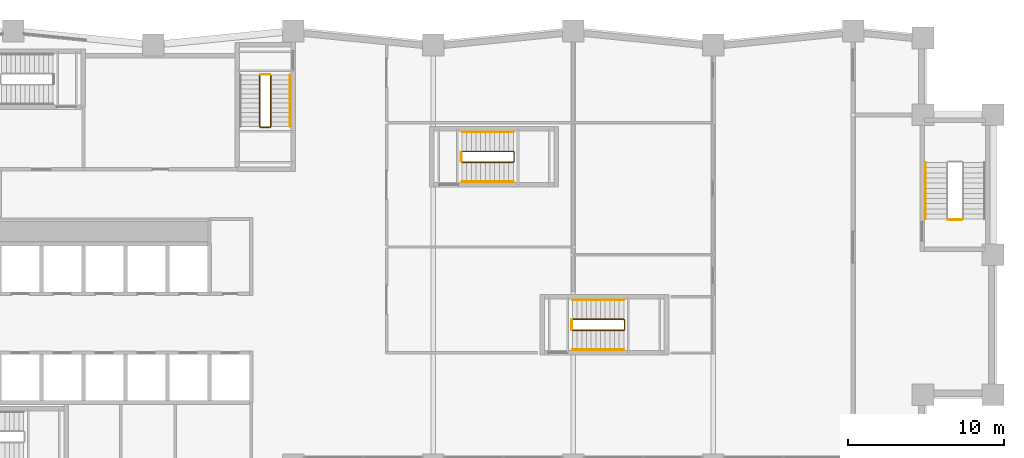
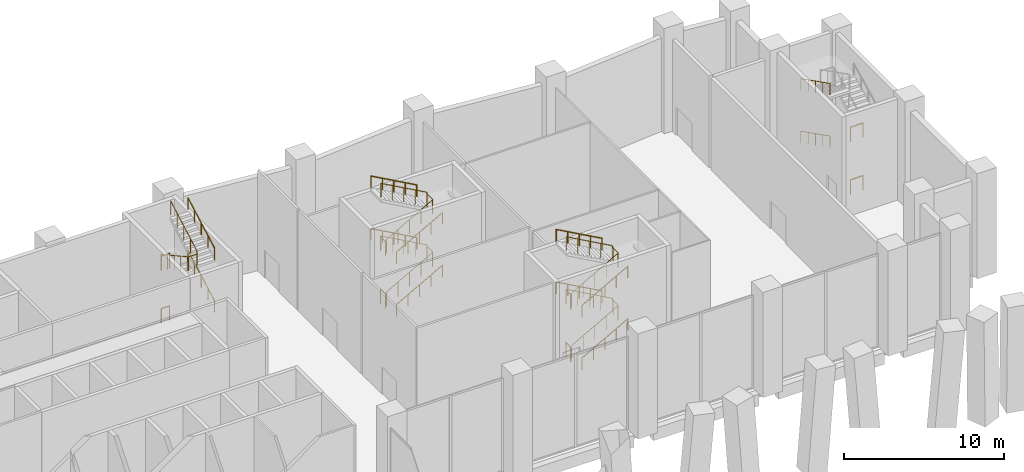
# One storey, part 18 of 19: 25 railings.
"""IFC4 building model written with IfcOpenShell, lengths in metres."""

from ifc_helpers import new_model, si_unit, direction, frame, origin, origin_2d, place, context, subcontext, project, spatial, circle, extrude, material, type_object, element, save


model = new_model("IFC4")

# Units and contexts
model_context = context("Model", 3, precision=1e-05, world=origin(), true_north=direction((0.0, 1.0)))
body_context = subcontext(model_context, "Body", "Model", "MODEL_VIEW")
ifc_project = project(units=[si_unit("LENGTHUNIT", "METRE"), si_unit("AREAUNIT", "SQUARE_METRE"), si_unit("VOLUMEUNIT", "CUBIC_METRE"), si_unit("PLANEANGLEUNIT", "RADIAN"), si_unit("MASSUNIT", "GRAM", prefix="KILO")], contexts=[model_context])

# Site, building, storey
site_placement = place(None, origin())
site = spatial("IfcSite", under=ifc_project, at=site_placement, CompositionType="ELEMENT")
building_placement = place(site_placement, origin())
building = spatial("IfcBuilding", under=site, at=building_placement, Name="Brondeck Convention Tower", CompositionType="ELEMENT")
storey_placement = place(building_placement, frame((0.0, 0.0, 19.5)))
storey = spatial("IfcBuildingStorey", under=building, at=storey_placement, Name="L03", CompositionType="ELEMENT", Elevation=19.5)

# Railings
ifc_material = material(Name="Steel S355", Category="steel")
railing_type_1 = type_object("IfcRailingType", Name="Stair guard 1100", PredefinedType="GUARDRAIL", material=ifc_material)
railing_1_placement = place(storey_placement, frame((24.89990234375, 61.10009765625, 4.0)))
element("IfcRailing", 1, at=railing_1_placement, inside=storey, type_object=railing_type_1, Name="L03 ST-2 stair guard 2", PredefinedType="GUARDRAIL", context=body_context, shape_type="SweptSolid", body=[
    extrude(circle(Radius=0.02392578125, at=origin_2d()), frame((0.0, 0.0, 1.076171875), z_axis=(1.0, 0.0, 0.0), x_axis=(0.0, 1.0, 0.0)), (0.0, 0.0, 1.0), 0.60009765625),
    extrude(circle(Radius=0.02099609375, at=origin_2d()), origin(), (0.0, 0.0, 1.0), 1.052001953125),
    extrude(circle(Radius=0.02099609375, at=origin_2d()), frame((0.60009765625, 0.0, 0.0)), (0.0, 0.0, 1.0), 1.052001953125),
])
railing_2_placement = place(storey_placement, frame((24.85009765625, 61.050048828125, 4.166748046875)))
element("IfcRailing", 2, at=railing_2_placement, inside=storey, type_object=railing_type_1, Name="L03 ST-2 stair guard 3", PredefinedType="GUARDRAIL", context=body_context, shape_type="SweptSolid", body=[
    extrude(circle(Radius=0.02392578125, at=origin_2d()), frame((0.0, 0.0, 1.076171875), z_axis=(0.0, -0.874169478083, 0.485620966999), x_axis=(1.0, 0.0, 0.0)), (0.0, 0.0, 1.0), 3.775146484375),
    extrude(circle(Radius=0.02392578125, at=origin_2d()), frame((0.0, -3.300048828125, 2.9091796875), z_axis=(0.705375805398, -0.708833529934, 0.0), x_axis=(0.708833529934, 0.705375805398, 0.0)), (0.0, 0.0, 1.0), 0.070556640625),
    extrude(circle(Radius=0.02392578125, at=origin_2d()), frame((0.0498046875, -3.35009765625, 2.9091796875), z_axis=(1.0, 0.0, 0.0), x_axis=(0.0, 1.0, 0.0)), (0.0, 0.0, 1.0), 0.60009765625),
    extrude(circle(Radius=0.02392578125, at=origin_2d()), frame((0.64990234375, -3.35009765625, 2.9091796875), z_axis=(0.27628659633, 0.27628659633, 0.920506074601), x_axis=(-0.707106781187, 0.707106781187, 0.0)), (0.0, 0.0, 1.0), 0.18115234375),
    extrude(circle(Radius=0.02392578125, at=origin_2d()), frame((0.699951171875, -3.300048828125, 3.076171875), z_axis=(0.0, 0.874169478083, 0.485620966999), x_axis=(-1.0, 0.0, 0.0)), (0.0, 0.0, 1.0), 3.775146484375),
    extrude(circle(Radius=0.02099609375, at=origin_2d()), origin(), (0.0, 0.0, 1.0), 1.052001953125),
    extrude(circle(Radius=0.02099609375, at=origin_2d()), frame((0.0, -0.824951171875, 0.458251953125)), (0.0, 0.0, 1.0), 1.052001953125),
    extrude(circle(Radius=0.02099609375, at=origin_2d()), frame((0.0, -1.64990234375, 0.91650390625)), (0.0, 0.0, 1.0), 1.052001953125),
    extrude(circle(Radius=0.02099609375, at=origin_2d()), frame((0.0, -2.47509765625, 1.375)), (0.0, 0.0, 1.0), 1.052001953125),
    extrude(circle(Radius=0.02099609375, at=origin_2d()), frame((0.0, -3.300048828125, 1.833251953125)), (0.0, 0.0, 1.0), 1.052001953125),
    extrude(circle(Radius=0.02099609375, at=origin_2d()), frame((0.0498046875, -3.35009765625, 1.833251953125)), (0.0, 0.0, 1.0), 1.052001953125),
    extrude(circle(Radius=0.02099609375, at=origin_2d()), frame((0.64990234375, -3.35009765625, 1.833251953125)), (0.0, 0.0, 1.0), 1.052001953125),
    extrude(circle(Radius=0.02099609375, at=origin_2d()), frame((0.699951171875, -3.300048828125, 2.0)), (0.0, 0.0, 1.0), 1.052001953125),
    extrude(circle(Radius=0.02099609375, at=origin_2d()), frame((0.699951171875, -2.47509765625, 2.458251953125)), (0.0, 0.0, 1.0), 1.052001953125),
    extrude(circle(Radius=0.02099609375, at=origin_2d()), frame((0.699951171875, -1.64990234375, 2.91650390625)), (0.0, 0.0, 1.0), 1.052001953125),
    extrude(circle(Radius=0.02099609375, at=origin_2d()), frame((0.699951171875, -0.824951171875, 3.375)), (0.0, 0.0, 1.0), 1.052001953125),
    extrude(circle(Radius=0.02099609375, at=origin_2d()), frame((0.699951171875, 0.0, 3.833251953125)), (0.0, 0.0, 1.0), 1.052001953125),
])
railing_3_placement = place(storey_placement, frame((24.89990234375, 61.10009765625, 0.0)))
element("IfcRailing", 3, at=railing_3_placement, inside=storey, type_object=railing_type_1, Name="L03 ST-2 stair guard 4", PredefinedType="GUARDRAIL", context=body_context, shape_type="SweptSolid", body=[
    extrude(circle(Radius=0.02392578125, at=origin_2d()), frame((0.0, 0.0, 1.076171875), z_axis=(1.0, 0.0, 0.0), x_axis=(0.0, 1.0, 0.0)), (0.0, 0.0, 1.0), 0.60009765625),
    extrude(circle(Radius=0.02099609375, at=origin_2d()), origin(), (0.0, 0.0, 1.0), 1.052001953125),
    extrude(circle(Radius=0.02099609375, at=origin_2d()), frame((0.60009765625, 0.0, 0.0)), (0.0, 0.0, 1.0), 1.052001953125),
])
railing_4_placement = place(storey_placement, frame((37.85009765625, 55.449951171875, 0.166748046875)))
element("IfcRailing", 4, at=railing_4_placement, inside=storey, type_object=railing_type_1, Name="L03 ST-AE stair guard 1", PredefinedType="GUARDRAIL", context=body_context, shape_type="SweptSolid", body=[
    extrude(circle(Radius=0.02392578125, at=origin_2d()), frame((0.0, 0.0, 1.076171875), z_axis=(0.874154225373, 0.0, 0.485648422486), x_axis=(0.0, 1.0, 0.0)), (0.0, 0.0, 1.0), 3.77490234375),
    extrude(circle(Radius=0.02392578125, at=origin_2d()), frame((3.2998046875, 0.0, 2.9091796875), z_axis=(0.707106781187, 0.707106781187, 0.0), x_axis=(-0.707106781187, 0.707106781187, 0.0)), (0.0, 0.0, 1.0), 0.07080078125),
    extrude(circle(Radius=0.02392578125, at=origin_2d()), frame((3.349853515625, 0.050048828125, 2.9091796875), z_axis=(0.0, 1.0, 0.0), x_axis=(-1.0, 0.0, 0.0)), (0.0, 0.0, 1.0), 0.60009765625),
    extrude(circle(Radius=0.02392578125, at=origin_2d()), frame((3.349853515625, 0.650146484375, 2.9091796875), z_axis=(-0.276389281352, 0.275041040955, 0.920848191041), x_axis=(-0.705375805398, -0.708833529934, 0.0)), (0.0, 0.0, 1.0), 0.18115234375),
    extrude(circle(Radius=0.02392578125, at=origin_2d()), frame((3.2998046875, 0.699951171875, 3.076171875), z_axis=(-0.874154225373, 0.0, 0.485648422486), x_axis=(0.0, -1.0, 0.0)), (0.0, 0.0, 1.0), 3.77490234375),
    extrude(circle(Radius=0.02099609375, at=origin_2d()), origin(), (0.0, 0.0, 1.0), 1.052001953125),
    extrude(circle(Radius=0.02099609375, at=origin_2d()), frame((0.824951171875, 0.0, 0.458251953125)), (0.0, 0.0, 1.0), 1.052001953125),
    extrude(circle(Radius=0.02099609375, at=origin_2d()), frame((1.64990234375, 0.0, 0.91650390625)), (0.0, 0.0, 1.0), 1.052001953125),
    extrude(circle(Radius=0.02099609375, at=origin_2d()), frame((2.474853515625, 0.0, 1.375)), (0.0, 0.0, 1.0), 1.052001953125),
    extrude(circle(Radius=0.02099609375, at=origin_2d()), frame((3.2998046875, 0.0, 1.833251953125)), (0.0, 0.0, 1.0), 1.052001953125),
    extrude(circle(Radius=0.02099609375, at=origin_2d()), frame((3.349853515625, 0.050048828125, 1.833251953125)), (0.0, 0.0, 1.0), 1.052001953125),
    extrude(circle(Radius=0.02099609375, at=origin_2d()), frame((3.349853515625, 0.650146484375, 1.833251953125)), (0.0, 0.0, 1.0), 1.052001953125),
    extrude(circle(Radius=0.02099609375, at=origin_2d()), frame((3.2998046875, 0.699951171875, 2.0)), (0.0, 0.0, 1.0), 1.052001953125),
    extrude(circle(Radius=0.02099609375, at=origin_2d()), frame((2.474853515625, 0.699951171875, 2.458251953125)), (0.0, 0.0, 1.0), 1.052001953125),
    extrude(circle(Radius=0.02099609375, at=origin_2d()), frame((1.64990234375, 0.699951171875, 2.91650390625)), (0.0, 0.0, 1.0), 1.052001953125),
    extrude(circle(Radius=0.02099609375, at=origin_2d()), frame((0.824951171875, 0.699951171875, 3.375)), (0.0, 0.0, 1.0), 1.052001953125),
    extrude(circle(Radius=0.02099609375, at=origin_2d()), frame((0.0, 0.699951171875, 3.833251953125)), (0.0, 0.0, 1.0), 1.052001953125),
])
railing_5_placement = place(storey_placement, frame((37.800048828125, 55.5, 4.0)))
element("IfcRailing", 5, at=railing_5_placement, inside=storey, type_object=railing_type_1, Name="L03 ST-AE stair guard 2", PredefinedType="GUARDRAIL", context=body_context, shape_type="SweptSolid", body=[
    extrude(circle(Radius=0.02392578125, at=origin_2d()), frame((0.0, 0.0, 1.076171875), z_axis=(0.0, 1.0, 0.0), x_axis=(-1.0, 0.0, 0.0)), (0.0, 0.0, 1.0), 0.60009765625),
    extrude(circle(Radius=0.02099609375, at=origin_2d()), origin(), (0.0, 0.0, 1.0), 1.052001953125),
    extrude(circle(Radius=0.02099609375, at=origin_2d()), frame((0.0, 0.60009765625, 0.0)), (0.0, 0.0, 1.0), 1.052001953125),
])
railing_6_placement = place(storey_placement, frame((37.85009765625, 55.449951171875, 4.166748046875)))
element("IfcRailing", 6, at=railing_6_placement, inside=storey, type_object=railing_type_1, Name="L03 ST-AE stair guard 3", PredefinedType="GUARDRAIL", context=body_context, shape_type="SweptSolid", body=[
    extrude(circle(Radius=0.02392578125, at=origin_2d()), frame((0.0, 0.0, 1.076171875), z_axis=(0.874154225373, 0.0, 0.485648422486), x_axis=(0.0, 1.0, 0.0)), (0.0, 0.0, 1.0), 3.77490234375),
    extrude(circle(Radius=0.02392578125, at=origin_2d()), frame((3.2998046875, 0.0, 2.9091796875), z_axis=(0.707106781187, 0.707106781187, 0.0), x_axis=(-0.707106781187, 0.707106781187, 0.0)), (0.0, 0.0, 1.0), 0.07080078125),
    extrude(circle(Radius=0.02392578125, at=origin_2d()), frame((3.349853515625, 0.050048828125, 2.9091796875), z_axis=(0.0, 1.0, 0.0), x_axis=(-1.0, 0.0, 0.0)), (0.0, 0.0, 1.0), 0.60009765625),
    extrude(circle(Radius=0.02392578125, at=origin_2d()), frame((3.349853515625, 0.650146484375, 2.9091796875), z_axis=(-0.276389281352, 0.275041040955, 0.920848191041), x_axis=(-0.705375805398, -0.708833529934, 0.0)), (0.0, 0.0, 1.0), 0.18115234375),
    extrude(circle(Radius=0.02392578125, at=origin_2d()), frame((3.2998046875, 0.699951171875, 3.076171875), z_axis=(-0.874154225373, 0.0, 0.485648422486), x_axis=(0.0, -1.0, 0.0)), (0.0, 0.0, 1.0), 3.77490234375),
    extrude(circle(Radius=0.02099609375, at=origin_2d()), origin(), (0.0, 0.0, 1.0), 1.052001953125),
    extrude(circle(Radius=0.02099609375, at=origin_2d()), frame((0.824951171875, 0.0, 0.458251953125)), (0.0, 0.0, 1.0), 1.052001953125),
    extrude(circle(Radius=0.02099609375, at=origin_2d()), frame((1.64990234375, 0.0, 0.91650390625)), (0.0, 0.0, 1.0), 1.052001953125),
    extrude(circle(Radius=0.02099609375, at=origin_2d()), frame((2.474853515625, 0.0, 1.375)), (0.0, 0.0, 1.0), 1.052001953125),
    extrude(circle(Radius=0.02099609375, at=origin_2d()), frame((3.2998046875, 0.0, 1.833251953125)), (0.0, 0.0, 1.0), 1.052001953125),
    extrude(circle(Radius=0.02099609375, at=origin_2d()), frame((3.349853515625, 0.050048828125, 1.833251953125)), (0.0, 0.0, 1.0), 1.052001953125),
    extrude(circle(Radius=0.02099609375, at=origin_2d()), frame((3.349853515625, 0.650146484375, 1.833251953125)), (0.0, 0.0, 1.0), 1.052001953125),
    extrude(circle(Radius=0.02099609375, at=origin_2d()), frame((3.2998046875, 0.699951171875, 2.0)), (0.0, 0.0, 1.0), 1.052001953125),
    extrude(circle(Radius=0.02099609375, at=origin_2d()), frame((2.474853515625, 0.699951171875, 2.458251953125)), (0.0, 0.0, 1.0), 1.052001953125),
    extrude(circle(Radius=0.02099609375, at=origin_2d()), frame((1.64990234375, 0.699951171875, 2.91650390625)), (0.0, 0.0, 1.0), 1.052001953125),
    extrude(circle(Radius=0.02099609375, at=origin_2d()), frame((0.824951171875, 0.699951171875, 3.375)), (0.0, 0.0, 1.0), 1.052001953125),
    extrude(circle(Radius=0.02099609375, at=origin_2d()), frame((0.0, 0.699951171875, 3.833251953125)), (0.0, 0.0, 1.0), 1.052001953125),
])
railing_7_placement = place(storey_placement, frame((37.800048828125, 55.5, 0.0)))
element("IfcRailing", 7, at=railing_7_placement, inside=storey, type_object=railing_type_1, Name="L03 ST-AE stair guard 4", PredefinedType="GUARDRAIL", context=body_context, shape_type="SweptSolid", body=[
    extrude(circle(Radius=0.02392578125, at=origin_2d()), frame((0.0, 0.0, 1.076171875), z_axis=(0.0, 1.0, 0.0), x_axis=(-1.0, 0.0, 0.0)), (0.0, 0.0, 1.0), 0.60009765625),
    extrude(circle(Radius=0.02099609375, at=origin_2d()), origin(), (0.0, 0.0, 1.0), 1.052001953125),
    extrude(circle(Radius=0.02099609375, at=origin_2d()), frame((0.0, 0.60009765625, 0.0)), (0.0, 0.0, 1.0), 1.052001953125),
])
railing_8_placement = place(storey_placement, frame((44.949951171875, 44.64990234375, 0.166748046875)))
element("IfcRailing", 8, at=railing_8_placement, inside=storey, type_object=railing_type_1, Name="L03 ST-AF stair guard 1", PredefinedType="GUARDRAIL", context=body_context, shape_type="SweptSolid", body=[
    extrude(circle(Radius=0.02392578125, at=origin_2d()), frame((0.0, 0.0, 1.076171875), z_axis=(0.874169478083, 0.0, 0.485620966999), x_axis=(0.0, 1.0, 0.0)), (0.0, 0.0, 1.0), 3.775146484375),
    extrude(circle(Radius=0.02392578125, at=origin_2d()), frame((3.300048828125, 0.0, 2.9091796875), z_axis=(0.707106781187, 0.707106781187, 0.0), x_axis=(-0.707106781187, 0.707106781187, 0.0)), (0.0, 0.0, 1.0), 0.07080078125),
    extrude(circle(Radius=0.02392578125, at=origin_2d()), frame((3.35009765625, 0.050048828125, 2.9091796875), z_axis=(0.0, 1.0, 0.0), x_axis=(-1.0, 0.0, 0.0)), (0.0, 0.0, 1.0), 0.60009765625),
    extrude(circle(Radius=0.02392578125, at=origin_2d()), frame((3.35009765625, 0.650146484375, 2.9091796875), z_axis=(-0.27628659633, 0.27628659633, 0.920506074601), x_axis=(-0.707106781187, -0.707106781187, 0.0)), (0.0, 0.0, 1.0), 0.18115234375),
    extrude(circle(Radius=0.02392578125, at=origin_2d()), frame((3.300048828125, 0.7001953125, 3.076171875), z_axis=(-0.874169478083, 0.0, 0.485620966999), x_axis=(0.0, -1.0, 0.0)), (0.0, 0.0, 1.0), 3.775146484375),
    extrude(circle(Radius=0.02099609375, at=origin_2d()), origin(), (0.0, 0.0, 1.0), 1.052001953125),
    extrude(circle(Radius=0.02099609375, at=origin_2d()), frame((0.824951171875, 0.0, 0.458251953125)), (0.0, 0.0, 1.0), 1.052001953125),
    extrude(circle(Radius=0.02099609375, at=origin_2d()), frame((1.64990234375, 0.0, 0.91650390625)), (0.0, 0.0, 1.0), 1.052001953125),
    extrude(circle(Radius=0.02099609375, at=origin_2d()), frame((2.47509765625, 0.0, 1.375)), (0.0, 0.0, 1.0), 1.052001953125),
    extrude(circle(Radius=0.02099609375, at=origin_2d()), frame((3.300048828125, 0.0, 1.833251953125)), (0.0, 0.0, 1.0), 1.052001953125),
    extrude(circle(Radius=0.02099609375, at=origin_2d()), frame((3.35009765625, 0.050048828125, 1.833251953125)), (0.0, 0.0, 1.0), 1.052001953125),
    extrude(circle(Radius=0.02099609375, at=origin_2d()), frame((3.35009765625, 0.650146484375, 1.833251953125)), (0.0, 0.0, 1.0), 1.052001953125),
    extrude(circle(Radius=0.02099609375, at=origin_2d()), frame((3.300048828125, 0.7001953125, 2.0)), (0.0, 0.0, 1.0), 1.052001953125),
    extrude(circle(Radius=0.02099609375, at=origin_2d()), frame((2.47509765625, 0.7001953125, 2.458251953125)), (0.0, 0.0, 1.0), 1.052001953125),
    extrude(circle(Radius=0.02099609375, at=origin_2d()), frame((1.64990234375, 0.7001953125, 2.91650390625)), (0.0, 0.0, 1.0), 1.052001953125),
    extrude(circle(Radius=0.02099609375, at=origin_2d()), frame((0.824951171875, 0.7001953125, 3.375)), (0.0, 0.0, 1.0), 1.052001953125),
    extrude(circle(Radius=0.02099609375, at=origin_2d()), frame((0.0, 0.7001953125, 3.833251953125)), (0.0, 0.0, 1.0), 1.052001953125),
])
railing_9_placement = place(storey_placement, frame((44.89990234375, 44.699951171875, 4.0)))
element("IfcRailing", 9, at=railing_9_placement, inside=storey, type_object=railing_type_1, Name="L03 ST-AF stair guard 2", PredefinedType="GUARDRAIL", context=body_context, shape_type="SweptSolid", body=[
    extrude(circle(Radius=0.02392578125, at=origin_2d()), frame((0.0, 0.0, 1.076171875), z_axis=(0.0, 1.0, 0.0), x_axis=(-1.0, 0.0, 0.0)), (0.0, 0.0, 1.0), 0.60009765625),
    extrude(circle(Radius=0.02099609375, at=origin_2d()), origin(), (0.0, 0.0, 1.0), 1.052001953125),
    extrude(circle(Radius=0.02099609375, at=origin_2d()), frame((0.0, 0.60009765625, 0.0)), (0.0, 0.0, 1.0), 1.052001953125),
])
railing_10_placement = place(storey_placement, frame((44.949951171875, 44.64990234375, 4.166748046875)))
element("IfcRailing", 10, at=railing_10_placement, inside=storey, type_object=railing_type_1, Name="L03 ST-AF stair guard 3", PredefinedType="GUARDRAIL", context=body_context, shape_type="SweptSolid", body=[
    extrude(circle(Radius=0.02392578125, at=origin_2d()), frame((0.0, 0.0, 1.076171875), z_axis=(0.874169478083, 0.0, 0.485620966999), x_axis=(0.0, 1.0, 0.0)), (0.0, 0.0, 1.0), 3.775146484375),
    extrude(circle(Radius=0.02392578125, at=origin_2d()), frame((3.300048828125, 0.0, 2.9091796875), z_axis=(0.707106781187, 0.707106781187, 0.0), x_axis=(-0.707106781187, 0.707106781187, 0.0)), (0.0, 0.0, 1.0), 0.07080078125),
    extrude(circle(Radius=0.02392578125, at=origin_2d()), frame((3.35009765625, 0.050048828125, 2.9091796875), z_axis=(0.0, 1.0, 0.0), x_axis=(-1.0, 0.0, 0.0)), (0.0, 0.0, 1.0), 0.60009765625),
    extrude(circle(Radius=0.02392578125, at=origin_2d()), frame((3.35009765625, 0.650146484375, 2.9091796875), z_axis=(-0.27628659633, 0.27628659633, 0.920506074601), x_axis=(-0.707106781187, -0.707106781187, 0.0)), (0.0, 0.0, 1.0), 0.18115234375),
    extrude(circle(Radius=0.02392578125, at=origin_2d()), frame((3.300048828125, 0.7001953125, 3.076171875), z_axis=(-0.874169478083, 0.0, 0.485620966999), x_axis=(0.0, -1.0, 0.0)), (0.0, 0.0, 1.0), 3.775146484375),
    extrude(circle(Radius=0.02099609375, at=origin_2d()), origin(), (0.0, 0.0, 1.0), 1.052001953125),
    extrude(circle(Radius=0.02099609375, at=origin_2d()), frame((0.824951171875, 0.0, 0.458251953125)), (0.0, 0.0, 1.0), 1.052001953125),
    extrude(circle(Radius=0.02099609375, at=origin_2d()), frame((1.64990234375, 0.0, 0.91650390625)), (0.0, 0.0, 1.0), 1.052001953125),
    extrude(circle(Radius=0.02099609375, at=origin_2d()), frame((2.47509765625, 0.0, 1.375)), (0.0, 0.0, 1.0), 1.052001953125),
    extrude(circle(Radius=0.02099609375, at=origin_2d()), frame((3.300048828125, 0.0, 1.833251953125)), (0.0, 0.0, 1.0), 1.052001953125),
    extrude(circle(Radius=0.02099609375, at=origin_2d()), frame((3.35009765625, 0.050048828125, 1.833251953125)), (0.0, 0.0, 1.0), 1.052001953125),
    extrude(circle(Radius=0.02099609375, at=origin_2d()), frame((3.35009765625, 0.650146484375, 1.833251953125)), (0.0, 0.0, 1.0), 1.052001953125),
    extrude(circle(Radius=0.02099609375, at=origin_2d()), frame((3.300048828125, 0.7001953125, 2.0)), (0.0, 0.0, 1.0), 1.052001953125),
    extrude(circle(Radius=0.02099609375, at=origin_2d()), frame((2.47509765625, 0.7001953125, 2.458251953125)), (0.0, 0.0, 1.0), 1.052001953125),
    extrude(circle(Radius=0.02099609375, at=origin_2d()), frame((1.64990234375, 0.7001953125, 2.91650390625)), (0.0, 0.0, 1.0), 1.052001953125),
    extrude(circle(Radius=0.02099609375, at=origin_2d()), frame((0.824951171875, 0.7001953125, 3.375)), (0.0, 0.0, 1.0), 1.052001953125),
    extrude(circle(Radius=0.02099609375, at=origin_2d()), frame((0.0, 0.7001953125, 3.833251953125)), (0.0, 0.0, 1.0), 1.052001953125),
])
railing_11_placement = place(storey_placement, frame((44.89990234375, 44.699951171875, 0.0)))
element("IfcRailing", 11, at=railing_11_placement, inside=storey, type_object=railing_type_1, Name="L03 ST-AF stair guard 4", PredefinedType="GUARDRAIL", context=body_context, shape_type="SweptSolid", body=[
    extrude(circle(Radius=0.02392578125, at=origin_2d()), frame((0.0, 0.0, 1.076171875), z_axis=(0.0, 1.0, 0.0), x_axis=(-1.0, 0.0, 0.0)), (0.0, 0.0, 1.0), 0.60009765625),
    extrude(circle(Radius=0.02099609375, at=origin_2d()), origin(), (0.0, 0.0, 1.0), 1.052001953125),
    extrude(circle(Radius=0.02099609375, at=origin_2d()), frame((0.0, 0.60009765625, 0.0)), (0.0, 0.0, 1.0), 1.052001953125),
])
for number, where, name in (
    (12, (70.0, 51.75, 4.0), "L03 PS-1 stair guard 2"),
    (13, (70.0, 51.75, 0.0), "L03 PS-1 stair guard 4"),
):
    element("IfcRailing", number, at=place(storey_placement, frame(where)), inside=storey, type_object=railing_type_1, Name=name, PredefinedType="GUARDRAIL", context=body_context, shape_type="SweptSolid", body=[
        extrude(circle(Radius=0.02392578125, at=origin_2d()), frame((0.0, 0.0, 1.076171875), z_axis=(-1.0, 0.0, 0.0), x_axis=(0.0, -1.0, 0.0)), (0.0, 0.0, 1.0), 0.89990234375),
        extrude(circle(Radius=0.02099609375, at=origin_2d()), origin(), (0.0, 0.0, 1.0), 1.052001953125),
        extrude(circle(Radius=0.02099609375, at=origin_2d()), frame((-0.89990234375, 0.0, 0.0)), (0.0, 0.0, 1.0), 1.052001953125),
    ])
railing_type_2 = type_object("IfcRailingType", Name="Stair handrail", PredefinedType="HANDRAIL", material=ifc_material)
for number, where, name in (
    (14, (26.800048828125, 57.75, 2.166748046875), "L03 ST-2 stair handrail 2"),
    (15, (26.800048828125, 57.75, 6.166748046875), "L03 ST-2 stair handrail 4"),
):
    element("IfcRailing", number, at=place(storey_placement, frame(where)), inside=storey, type_object=railing_type_2, Name=name, PredefinedType="HANDRAIL", context=body_context, shape_type="SweptSolid", body=[
        extrude(circle(Radius=0.02392578125, at=origin_2d()), frame((0.0, 0.0, 0.8759765625), z_axis=(0.0, 0.874169478083, 0.485620966999), x_axis=(-1.0, 0.0, 0.0)), (0.0, 0.0, 1.0), 3.775146484375),
        extrude(circle(Radius=0.02099609375, at=origin_2d()), origin(), (0.0, 0.0, 1.0), 0.851806640625),
        extrude(circle(Radius=0.02099609375, at=origin_2d()), frame((0.0, 0.824951171875, 0.458251953125)), (0.0, 0.0, 1.0), 0.851806640625),
        extrude(circle(Radius=0.02099609375, at=origin_2d()), frame((0.0, 1.64990234375, 0.91650390625)), (0.0, 0.0, 1.0), 0.851806640625),
        extrude(circle(Radius=0.02099609375, at=origin_2d()), frame((0.0, 2.47509765625, 1.375)), (0.0, 0.0, 1.0), 0.851806640625),
        extrude(circle(Radius=0.02099609375, at=origin_2d()), frame((0.0, 3.300048828125, 1.833251953125)), (0.0, 0.0, 1.0), 0.851806640625),
    ])
railing_12_placement = place(storey_placement, frame((37.85009765625, 54.199951171875, 0.166748046875)))
element("IfcRailing", 16, at=railing_12_placement, inside=storey, type_object=railing_type_2, Name="L03 ST-AE stair handrail 1", PredefinedType="HANDRAIL", context=body_context, shape_type="SweptSolid", body=[
    extrude(circle(Radius=0.02392578125, at=origin_2d()), frame((0.0, 0.0, 0.8759765625), z_axis=(0.874154225373, 0.0, 0.485648422486), x_axis=(0.0, 1.0, 0.0)), (0.0, 0.0, 1.0), 3.77490234375),
    extrude(circle(Radius=0.02099609375, at=origin_2d()), origin(), (0.0, 0.0, 1.0), 0.851806640625),
    extrude(circle(Radius=0.02099609375, at=origin_2d()), frame((0.824951171875, 0.0, 0.458251953125)), (0.0, 0.0, 1.0), 0.851806640625),
    extrude(circle(Radius=0.02099609375, at=origin_2d()), frame((1.64990234375, 0.0, 0.91650390625)), (0.0, 0.0, 1.0), 0.851806640625),
    extrude(circle(Radius=0.02099609375, at=origin_2d()), frame((2.474853515625, 0.0, 1.375)), (0.0, 0.0, 1.0), 0.851806640625),
    extrude(circle(Radius=0.02099609375, at=origin_2d()), frame((3.2998046875, 0.0, 1.833251953125)), (0.0, 0.0, 1.0), 0.851806640625),
])
railing_13_placement = place(storey_placement, frame((41.14990234375, 57.39990234375, 2.166748046875)))
element("IfcRailing", 17, at=railing_13_placement, inside=storey, type_object=railing_type_2, Name="L03 ST-AE stair handrail 2", PredefinedType="HANDRAIL", context=body_context, shape_type="SweptSolid", body=[
    extrude(circle(Radius=0.02392578125, at=origin_2d()), frame((0.0, 0.0, 0.8759765625), z_axis=(-0.874154225373, 0.0, 0.485648422486), x_axis=(0.0, -1.0, 0.0)), (0.0, 0.0, 1.0), 3.77490234375),
    extrude(circle(Radius=0.02099609375, at=origin_2d()), origin(), (0.0, 0.0, 1.0), 0.851806640625),
    extrude(circle(Radius=0.02099609375, at=origin_2d()), frame((-0.824951171875, 0.0, 0.458251953125)), (0.0, 0.0, 1.0), 0.851806640625),
    extrude(circle(Radius=0.02099609375, at=origin_2d()), frame((-1.64990234375, 0.0, 0.91650390625)), (0.0, 0.0, 1.0), 0.851806640625),
    extrude(circle(Radius=0.02099609375, at=origin_2d()), frame((-2.474853515625, 0.0, 1.375)), (0.0, 0.0, 1.0), 0.851806640625),
    extrude(circle(Radius=0.02099609375, at=origin_2d()), frame((-3.2998046875, 0.0, 1.833251953125)), (0.0, 0.0, 1.0), 0.851806640625),
])
railing_14_placement = place(storey_placement, frame((37.85009765625, 54.199951171875, 4.166748046875)))
element("IfcRailing", 18, at=railing_14_placement, inside=storey, type_object=railing_type_2, Name="L03 ST-AE stair handrail 3", PredefinedType="HANDRAIL", context=body_context, shape_type="SweptSolid", body=[
    extrude(circle(Radius=0.02392578125, at=origin_2d()), frame((0.0, 0.0, 0.8759765625), z_axis=(0.874154225373, 0.0, 0.485648422486), x_axis=(0.0, 1.0, 0.0)), (0.0, 0.0, 1.0), 3.77490234375),
    extrude(circle(Radius=0.02099609375, at=origin_2d()), origin(), (0.0, 0.0, 1.0), 0.851806640625),
    extrude(circle(Radius=0.02099609375, at=origin_2d()), frame((0.824951171875, 0.0, 0.458251953125)), (0.0, 0.0, 1.0), 0.851806640625),
    extrude(circle(Radius=0.02099609375, at=origin_2d()), frame((1.64990234375, 0.0, 0.91650390625)), (0.0, 0.0, 1.0), 0.851806640625),
    extrude(circle(Radius=0.02099609375, at=origin_2d()), frame((2.474853515625, 0.0, 1.375)), (0.0, 0.0, 1.0), 0.851806640625),
    extrude(circle(Radius=0.02099609375, at=origin_2d()), frame((3.2998046875, 0.0, 1.833251953125)), (0.0, 0.0, 1.0), 0.851806640625),
])
railing_15_placement = place(storey_placement, frame((41.14990234375, 57.39990234375, 6.166748046875)))
element("IfcRailing", 19, at=railing_15_placement, inside=storey, type_object=railing_type_2, Name="L03 ST-AE stair handrail 4", PredefinedType="HANDRAIL", context=body_context, shape_type="SweptSolid", body=[
    extrude(circle(Radius=0.02392578125, at=origin_2d()), frame((0.0, 0.0, 0.8759765625), z_axis=(-0.874154225373, 0.0, 0.485648422486), x_axis=(0.0, -1.0, 0.0)), (0.0, 0.0, 1.0), 3.77490234375),
    extrude(circle(Radius=0.02099609375, at=origin_2d()), origin(), (0.0, 0.0, 1.0), 0.851806640625),
    extrude(circle(Radius=0.02099609375, at=origin_2d()), frame((-0.824951171875, 0.0, 0.458251953125)), (0.0, 0.0, 1.0), 0.851806640625),
    extrude(circle(Radius=0.02099609375, at=origin_2d()), frame((-1.64990234375, 0.0, 0.91650390625)), (0.0, 0.0, 1.0), 0.851806640625),
    extrude(circle(Radius=0.02099609375, at=origin_2d()), frame((-2.474853515625, 0.0, 1.375)), (0.0, 0.0, 1.0), 0.851806640625),
    extrude(circle(Radius=0.02099609375, at=origin_2d()), frame((-3.2998046875, 0.0, 1.833251953125)), (0.0, 0.0, 1.0), 0.851806640625),
])
railing_16_placement = place(storey_placement, frame((44.949951171875, 43.39990234375, 0.166748046875)))
element("IfcRailing", 20, at=railing_16_placement, inside=storey, type_object=railing_type_2, Name="L03 ST-AF stair handrail 1", PredefinedType="HANDRAIL", context=body_context, shape_type="SweptSolid", body=[
    extrude(circle(Radius=0.02392578125, at=origin_2d()), frame((0.0, 0.0, 0.8759765625), z_axis=(0.874169478083, 0.0, 0.485620966999), x_axis=(0.0, 1.0, 0.0)), (0.0, 0.0, 1.0), 3.775146484375),
    extrude(circle(Radius=0.02099609375, at=origin_2d()), origin(), (0.0, 0.0, 1.0), 0.851806640625),
    extrude(circle(Radius=0.02099609375, at=origin_2d()), frame((0.824951171875, 0.0, 0.458251953125)), (0.0, 0.0, 1.0), 0.851806640625),
    extrude(circle(Radius=0.02099609375, at=origin_2d()), frame((1.64990234375, 0.0, 0.91650390625)), (0.0, 0.0, 1.0), 0.851806640625),
    extrude(circle(Radius=0.02099609375, at=origin_2d()), frame((2.47509765625, 0.0, 1.375)), (0.0, 0.0, 1.0), 0.851806640625),
    extrude(circle(Radius=0.02099609375, at=origin_2d()), frame((3.300048828125, 0.0, 1.833251953125)), (0.0, 0.0, 1.0), 0.851806640625),
])
railing_17_placement = place(storey_placement, frame((48.25, 46.60009765625, 2.166748046875)))
element("IfcRailing", 21, at=railing_17_placement, inside=storey, type_object=railing_type_2, Name="L03 ST-AF stair handrail 2", PredefinedType="HANDRAIL", context=body_context, shape_type="SweptSolid", body=[
    extrude(circle(Radius=0.02392578125, at=origin_2d()), frame((0.0, 0.0, 0.8759765625), z_axis=(-0.874169478083, 0.0, 0.485620966999), x_axis=(0.0, -1.0, 0.0)), (0.0, 0.0, 1.0), 3.775146484375),
    extrude(circle(Radius=0.02099609375, at=origin_2d()), origin(), (0.0, 0.0, 1.0), 0.851806640625),
    extrude(circle(Radius=0.02099609375, at=origin_2d()), frame((-0.824951171875, 0.0, 0.458251953125)), (0.0, 0.0, 1.0), 0.851806640625),
    extrude(circle(Radius=0.02099609375, at=origin_2d()), frame((-1.64990234375, 0.0, 0.91650390625)), (0.0, 0.0, 1.0), 0.851806640625),
    extrude(circle(Radius=0.02099609375, at=origin_2d()), frame((-2.47509765625, 0.0, 1.375)), (0.0, 0.0, 1.0), 0.851806640625),
    extrude(circle(Radius=0.02099609375, at=origin_2d()), frame((-3.300048828125, 0.0, 1.833251953125)), (0.0, 0.0, 1.0), 0.851806640625),
])
railing_18_placement = place(storey_placement, frame((44.949951171875, 43.39990234375, 4.166748046875)))
element("IfcRailing", 22, at=railing_18_placement, inside=storey, type_object=railing_type_2, Name="L03 ST-AF stair handrail 3", PredefinedType="HANDRAIL", context=body_context, shape_type="SweptSolid", body=[
    extrude(circle(Radius=0.02392578125, at=origin_2d()), frame((0.0, 0.0, 0.8759765625), z_axis=(0.874169478083, 0.0, 0.485620966999), x_axis=(0.0, 1.0, 0.0)), (0.0, 0.0, 1.0), 3.775146484375),
    extrude(circle(Radius=0.02099609375, at=origin_2d()), origin(), (0.0, 0.0, 1.0), 0.851806640625),
    extrude(circle(Radius=0.02099609375, at=origin_2d()), frame((0.824951171875, 0.0, 0.458251953125)), (0.0, 0.0, 1.0), 0.851806640625),
    extrude(circle(Radius=0.02099609375, at=origin_2d()), frame((1.64990234375, 0.0, 0.91650390625)), (0.0, 0.0, 1.0), 0.851806640625),
    extrude(circle(Radius=0.02099609375, at=origin_2d()), frame((2.47509765625, 0.0, 1.375)), (0.0, 0.0, 1.0), 0.851806640625),
    extrude(circle(Radius=0.02099609375, at=origin_2d()), frame((3.300048828125, 0.0, 1.833251953125)), (0.0, 0.0, 1.0), 0.851806640625),
])
railing_19_placement = place(storey_placement, frame((48.25, 46.60009765625, 6.166748046875)))
element("IfcRailing", 23, at=railing_19_placement, inside=storey, type_object=railing_type_2, Name="L03 ST-AF stair handrail 4", PredefinedType="HANDRAIL", context=body_context, shape_type="SweptSolid", body=[
    extrude(circle(Radius=0.02392578125, at=origin_2d()), frame((0.0, 0.0, 0.8759765625), z_axis=(-0.874169478083, 0.0, 0.485620966999), x_axis=(0.0, -1.0, 0.0)), (0.0, 0.0, 1.0), 3.775146484375),
    extrude(circle(Radius=0.02099609375, at=origin_2d()), origin(), (0.0, 0.0, 1.0), 0.851806640625),
    extrude(circle(Radius=0.02099609375, at=origin_2d()), frame((-0.824951171875, 0.0, 0.458251953125)), (0.0, 0.0, 1.0), 0.851806640625),
    extrude(circle(Radius=0.02099609375, at=origin_2d()), frame((-1.64990234375, 0.0, 0.91650390625)), (0.0, 0.0, 1.0), 0.851806640625),
    extrude(circle(Radius=0.02099609375, at=origin_2d()), frame((-2.47509765625, 0.0, 1.375)), (0.0, 0.0, 1.0), 0.851806640625),
    extrude(circle(Radius=0.02099609375, at=origin_2d()), frame((-3.300048828125, 0.0, 1.833251953125)), (0.0, 0.0, 1.0), 0.851806640625),
])
for number, where, name in (
    (24, (67.64990234375, 55.429931640625, 2.166748046875), "L03 PS-1 stair handrail 2"),
    (25, (67.64990234375, 55.429931640625, 6.166748046875), "L03 PS-1 stair handrail 4"),
):
    element("IfcRailing", number, at=place(storey_placement, frame(where)), inside=storey, type_object=railing_type_2, Name=name, PredefinedType="HANDRAIL", context=body_context, shape_type="SweptSolid", body=[
        extrude(circle(Radius=0.02392578125, at=origin_2d()), frame((0.0, 0.0, 0.8759765625), z_axis=(0.0, -0.892618850087, 0.450812143214), x_axis=(1.0, 0.0, 0.0)), (0.0, 0.0, 1.0), 4.066650390625),
        extrude(circle(Radius=0.02099609375, at=origin_2d()), origin(), (0.0, 0.0, 1.0), 0.851806640625),
        extrude(circle(Radius=0.02099609375, at=origin_2d()), frame((0.0, -0.907470703125, 0.458251953125)), (0.0, 0.0, 1.0), 0.851806640625),
        extrude(circle(Radius=0.02099609375, at=origin_2d()), frame((0.0, -1.81494140625, 0.91650390625)), (0.0, 0.0, 1.0), 0.851806640625),
        extrude(circle(Radius=0.02099609375, at=origin_2d()), frame((0.0, -2.722412109375, 1.375)), (0.0, 0.0, 1.0), 0.851806640625),
        extrude(circle(Radius=0.02099609375, at=origin_2d()), frame((0.0, -3.6298828125, 1.833251953125)), (0.0, 0.0, 1.0), 0.851806640625),
    ])

save(model, "model.ifc")
